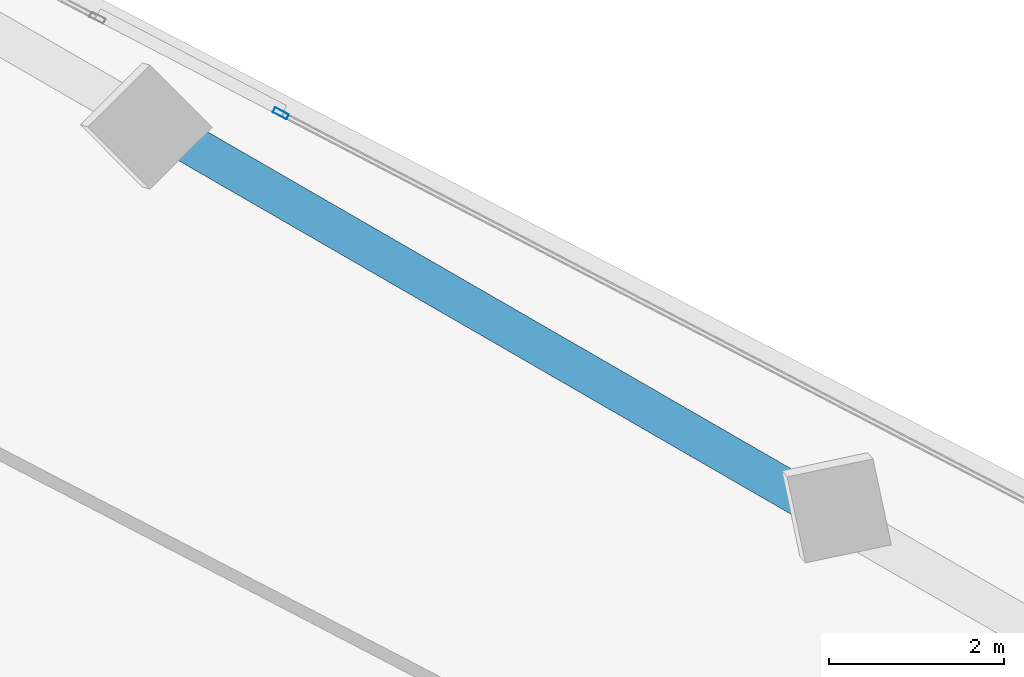
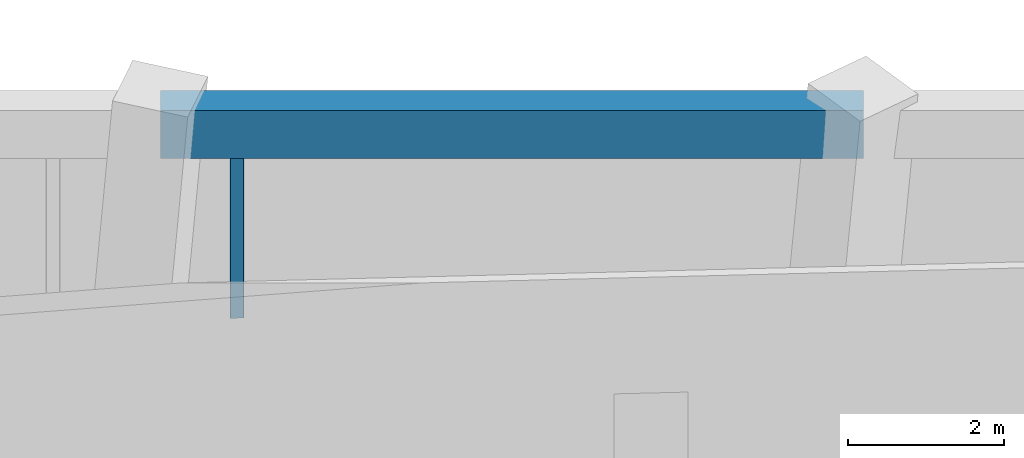
# One storey, part 12 of 22: 1 beam, 1 member, 1 element without a shape of its own.
"""IFC4 building model written with IfcOpenShell, lengths in metres."""

from ifc_helpers import new_model, si_unit, direction, frame, origin, origin_2d, place, context, subcontext, project, spatial, rectangle, hollow_rectangle, extrude, source, transform, mapped, material, material_profile, profile_set, type_object, element, aggregate, save


model = new_model("IFC4")

# Units and contexts
model_context = context("Model", 3, precision=1e-05, world=origin(), true_north=direction((0.0, 1.0)))
body_context = subcontext(model_context, "Body", "Model", "MODEL_VIEW")
ifc_project = project(units=[si_unit("LENGTHUNIT", "METRE"), si_unit("AREAUNIT", "SQUARE_METRE"), si_unit("VOLUMEUNIT", "CUBIC_METRE"), si_unit("PLANEANGLEUNIT", "RADIAN"), si_unit("MASSUNIT", "GRAM", prefix="KILO")], contexts=[model_context])

# Site, building, storey
site_placement = place(None, origin())
site = spatial("IfcSite", under=ifc_project, at=site_placement, CompositionType="ELEMENT")
building_placement = place(site_placement, origin())
building = spatial("IfcBuilding", under=site, at=building_placement, Name="Torre Montelarca", CompositionType="ELEMENT")
storey_placement = place(building_placement, frame((0.0, 0.0, 175.0)))
storey = spatial("IfcBuildingStorey", under=building, at=storey_placement, Name="L39", CompositionType="ELEMENT", Elevation=175.0)

# Beam
ifc_material_1 = material(Name="Concrete C55/67", Category="concrete")
ifc_material_profile_1 = material_profile(ifc_material_1, rectangle(XDim=0.449951171875, YDim=0.75, at=origin_2d()), Name="RCB450X750", Category="concrete")
ifc_profile_set_1 = profile_set([ifc_material_profile_1], Name="Concrete C55/67")
beam_type = type_object("IfcBeamType", Name="BM-SP-RC750-EXT", PredefinedType="SPANDREL", material=ifc_profile_set_1)
shared_shape_1 = source(origin(), body_context, "Body", "SweptSolid", [
    extrude(rectangle(XDim=0.449951171875, YDim=0.75, at=origin_2d()), origin(), (0.0, 0.0, 1.0), 9.0),
])
beam_placement = place(storey_placement, frame((26.0439453125, 46.870361328125, 3.5849609375), z_axis=(0.866024315419, -0.5000018851, 0.0), x_axis=(0.5000018851, 0.866024315419, 0.0)))
element("IfcBeam", 1, at=beam_placement, inside=storey, type_object=beam_type, Name="L39 Grid Girder X 18.0-27.0 at Y=47.1", PredefinedType="SPANDREL", context=body_context, shape_type="MappedRepresentation", body=[
    mapped(shared_shape_1, transform((0.0, 0.0, 0.0), scale=1.0)),
])

# Curtain wall, member
ifc_material_2 = material(Name="Insulated low-E laminated glass", Category="glass")
curtain_wall_type = type_object("IfcCurtainWallType", Name="CW-SYS-Z2", PredefinedType="USERDEFINED", material=ifc_material_2)
curtain_wall_placement = place(storey_placement, origin())
curtain_wall = element("IfcCurtainWall", 2, at=curtain_wall_placement, inside=storey, type_object=curtain_wall_type, Name="L39 Curtain Wall Run CW-T3-L39-E08-B1", ObjectType="UNITISED GLAZING", PredefinedType="USERDEFINED")
ifc_material_3 = material(Name="Anodised aluminium AA 6063-T6", Category="aluminium")
ifc_material_profile_2 = material_profile(ifc_material_3, hollow_rectangle(XDim=0.06494140625, YDim=0.179931640625, WallThickness=0.00390625, InnerFilletRadius=0.00390625, OuterFilletRadius=0.008056640625, at=origin_2d()), Name="ALU65X180X4", Category="aluminium")
ifc_profile_set_2 = profile_set([ifc_material_profile_2], Name="Anodised aluminium AA 6063-T6")
member_type = type_object("IfcMemberType", Name="CWM-ALU180", PredefinedType="MULLION", material=ifc_profile_set_2)
shared_shape_2 = source(origin(), body_context, "Body", "SweptSolid", [
    extrude(hollow_rectangle(XDim=0.06494140625, YDim=0.179931640625, WallThickness=0.00390625, InnerFilletRadius=0.00390625, OuterFilletRadius=0.008056640625, at=origin_2d()), origin(), (0.0, 0.0, 1.0), 3.175048828125),
])
member_placement = place(storey_placement, frame((27.302978515625, 47.09619140625, 0.0), z_axis=(0.0, 0.0, 1.0), x_axis=(-0.461747780498, -0.887011266673, 0.0)))
member = element("IfcMember", 3, at=member_placement, type_object=member_type, Name="CW mullion 3", PredefinedType="MULLION", context=body_context, shape_type="MappedRepresentation", body=[
    mapped(shared_shape_2, transform((0.0, 0.0, 0.0), scale=1.0)),
])
aggregate(curtain_wall, [member])

save(model, "model.ifc")
